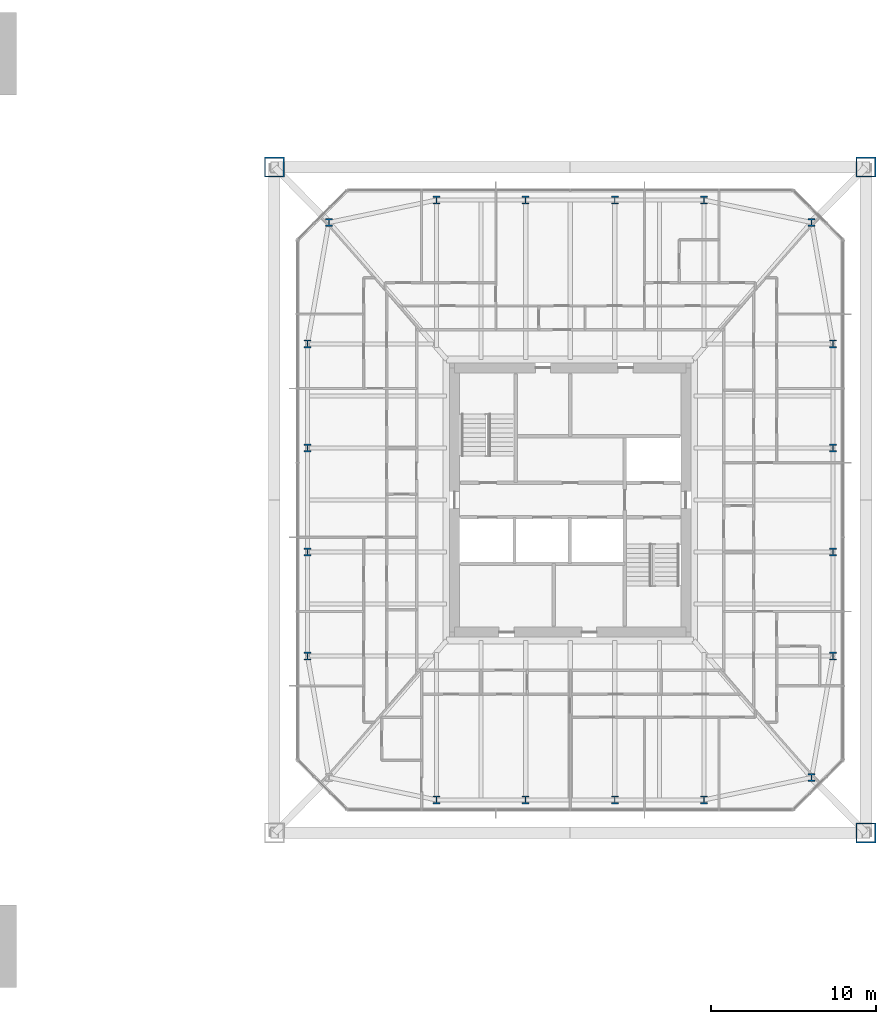
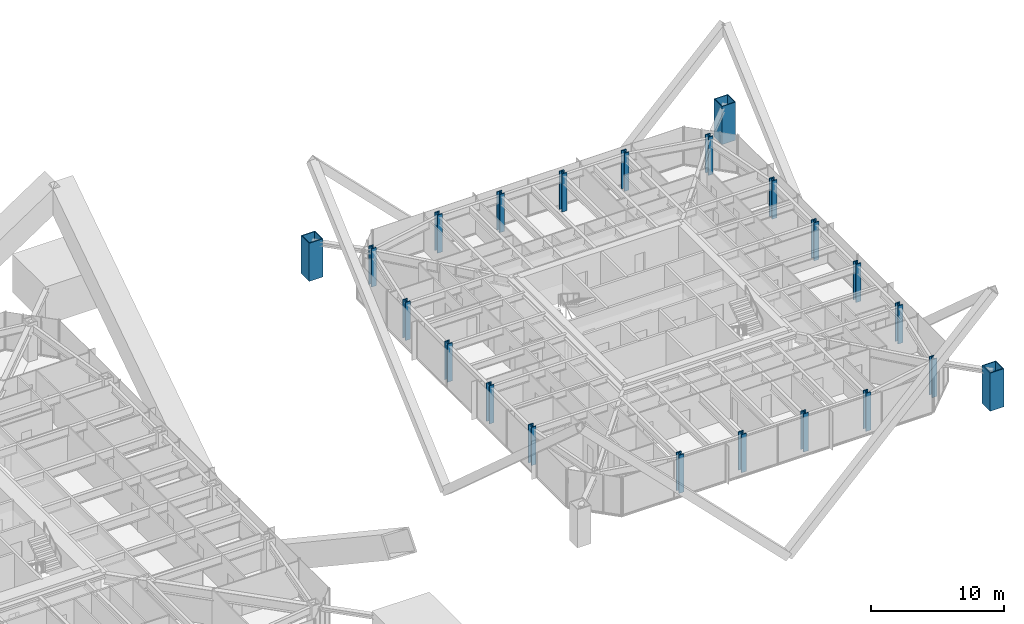
# One storey, part 2 of 27: 22 columns.
"""IFC4 building model written with IfcOpenShell, lengths in metres."""

from ifc_helpers import new_model, si_unit, direction, frame, origin, origin_2d, place, context, subcontext, project, spatial, hollow_rectangle, i_section, extrude, material, material_profile, profile_set, type_object, element, save


model = new_model("IFC4")

# Units and contexts
model_context = context("Model", 3, precision=1e-05, world=origin(), true_north=direction((0.0, 1.0)))
body_context = subcontext(model_context, "Body", "Model", "MODEL_VIEW")
ifc_project = project(units=[si_unit("LENGTHUNIT", "METRE"), si_unit("AREAUNIT", "SQUARE_METRE"), si_unit("VOLUMEUNIT", "CUBIC_METRE"), si_unit("PLANEANGLEUNIT", "RADIAN"), si_unit("MASSUNIT", "GRAM", prefix="KILO")], contexts=[model_context])

# Site, building, storey
site_placement = place(None, origin())
site = spatial("IfcSite", under=ifc_project, at=site_placement, CompositionType="ELEMENT")
building_placement = place(site_placement, origin())
building = spatial("IfcBuilding", under=site, at=building_placement, Name="Iwan Alto Co-Living Towers", CompositionType="ELEMENT")
storey_placement = place(building_placement, frame((0.0, 0.0, 25.5)))
storey = spatial("IfcBuildingStorey", under=building, at=storey_placement, Name="L06", CompositionType="ELEMENT", Elevation=25.5)

# Columns
ifc_material_1 = material(Name="Steel ASTM A572 Gr 50", Category="steel")
ifc_material_profile_1 = material_profile(ifc_material_1, hollow_rectangle(XDim=1.199951171875, YDim=1.199951171875, WallThickness=0.070068359375, at=origin_2d()), Name="BOX 1200X1200X70")
ifc_profile_set_1 = profile_set([ifc_material_profile_1], Name="Steel ASTM A572 Gr 50")
column_type_1 = type_object("IfcColumnType", Name="T2 MEGA COLUMN BOX 1200X1200X70", PredefinedType="COLUMN", material=ifc_profile_set_1)
for number, where, z_axis, x_axis, name in (
    (1, (80.89990234375, -20.14990234375, 0.0), (0.0, 0.0, 1.0), (1.0, 0.0, 0.0), "T2 mega column SE L06"),
    (2, (80.89990234375, 20.14990234375, 0.0), (0.0, 0.0, 1.0), (1.0, 0.0, 0.0), "T2 mega column NE L06"),
    (3, (45.10009765625, 20.14990234375, 0.0), (0.0, 0.0, 1.0), (1.0, 0.0, 0.0), "T2 mega column NW L06"),
):
    element("IfcColumn", number, at=place(storey_placement, frame(where, z_axis=z_axis, x_axis=x_axis)), inside=storey, type_object=column_type_1, Name=name, PredefinedType="COLUMN", context=body_context, shape_type="SweptSolid", body=[
        extrude(hollow_rectangle(XDim=1.199951171875, YDim=1.199951171875, WallThickness=0.070068359375, at=origin_2d()), origin(), (0.0, 0.0, 1.0), 3.5),
    ])
ifc_material_2 = material(Name="Steel ASTM A992 Gr 50", Category="steel")
ifc_material_profile_2 = material_profile(ifc_material_2, i_section(OverallWidth=0.424072265625, OverallDepth=0.47509765625, WebThickness=0.0478515625, FlangeThickness=0.0771484375, at=origin_2d()), Name="W14X426")
ifc_profile_set_2 = profile_set([ifc_material_profile_2], Name="Steel ASTM A992 Gr 50")
column_type_2 = type_object("IfcColumnType", Name="T2 RING COLUMN W14X426", PredefinedType="COLUMN", material=ifc_profile_set_2)
for number, where, z_axis, x_axis, name in (
    (4, (54.89990234375, -18.14990234375, 0.0), (0.0, 0.0, 1.0), (1.0, 0.0, 0.0), "T2 ring column S1 L06"),
    (5, (60.300048828125, -18.14990234375, 0.0), (0.0, 0.0, 1.0), (1.0, 0.0, 0.0), "T2 ring column S2 L06"),
    (6, (65.699951171875, -18.14990234375, 0.0), (0.0, 0.0, 1.0), (1.0, 0.0, 0.0), "T2 ring column S3 L06"),
    (7, (71.10009765625, -18.14990234375, 0.0), (0.0, 0.0, 1.0), (1.0, 0.0, 0.0), "T2 ring column S4 L06"),
    (8, (77.606201171875, -16.797119140625, 0.0), (0.0, 0.0, 1.0), (1.0, 0.0, 0.0), "T2 ring column CSE L06"),
    (9, (78.89990234375, -9.449951171875, 0.0), (0.0, 0.0, 1.0), (1.0, 0.0, 0.0), "T2 ring column E1 L06"),
    (10, (78.89990234375, -3.14990234375, 0.0), (0.0, 0.0, 1.0), (1.0, 0.0, 0.0), "T2 ring column E2 L06"),
    (11, (78.89990234375, 3.14990234375, 0.0), (0.0, 0.0, 1.0), (1.0, 0.0, 0.0), "T2 ring column E3 L06"),
    (12, (78.89990234375, 9.449951171875, 0.0), (0.0, 0.0, 1.0), (1.0, 0.0, 0.0), "T2 ring column E4 L06"),
    (13, (77.606201171875, 16.797119140625, 0.0), (0.0, 0.0, 1.0), (1.0, 0.0, 0.0), "T2 ring column CNE L06"),
    (14, (71.10009765625, 18.14990234375, 0.0), (0.0, 0.0, 1.0), (1.0, 0.0, 0.0), "T2 ring column N1 L06"),
    (15, (65.699951171875, 18.14990234375, 0.0), (0.0, 0.0, 1.0), (1.0, 0.0, 0.0), "T2 ring column N2 L06"),
    (16, (60.300048828125, 18.14990234375, 0.0), (0.0, 0.0, 1.0), (1.0, 0.0, 0.0), "T2 ring column N3 L06"),
    (17, (54.89990234375, 18.14990234375, 0.0), (0.0, 0.0, 1.0), (1.0, 0.0, 0.0), "T2 ring column N4 L06"),
    (18, (48.393798828125, 16.797119140625, 0.0), (0.0, 0.0, 1.0), (1.0, 0.0, 0.0), "T2 ring column CNW L06"),
    (19, (47.10009765625, 9.449951171875, 0.0), (0.0, 0.0, 1.0), (1.0, 0.0, 0.0), "T2 ring column W1 L06"),
    (20, (47.10009765625, 3.14990234375, 0.0), (0.0, 0.0, 1.0), (1.0, 0.0, 0.0), "T2 ring column W2 L06"),
    (21, (47.10009765625, -3.14990234375, 0.0), (0.0, 0.0, 1.0), (1.0, 0.0, 0.0), "T2 ring column W3 L06"),
    (22, (47.10009765625, -9.449951171875, 0.0), (0.0, 0.0, 1.0), (1.0, 0.0, 0.0), "T2 ring column W4 L06"),
):
    element("IfcColumn", number, at=place(storey_placement, frame(where, z_axis=z_axis, x_axis=x_axis)), inside=storey, type_object=column_type_2, Name=name, PredefinedType="COLUMN", context=body_context, shape_type="SweptSolid", body=[
        extrude(i_section(OverallWidth=0.424072265625, OverallDepth=0.47509765625, WebThickness=0.0478515625, FlangeThickness=0.0771484375, at=origin_2d()), origin(), (0.0, 0.0, 1.0), 3.5),
    ])

save(model, "model.ifc")
